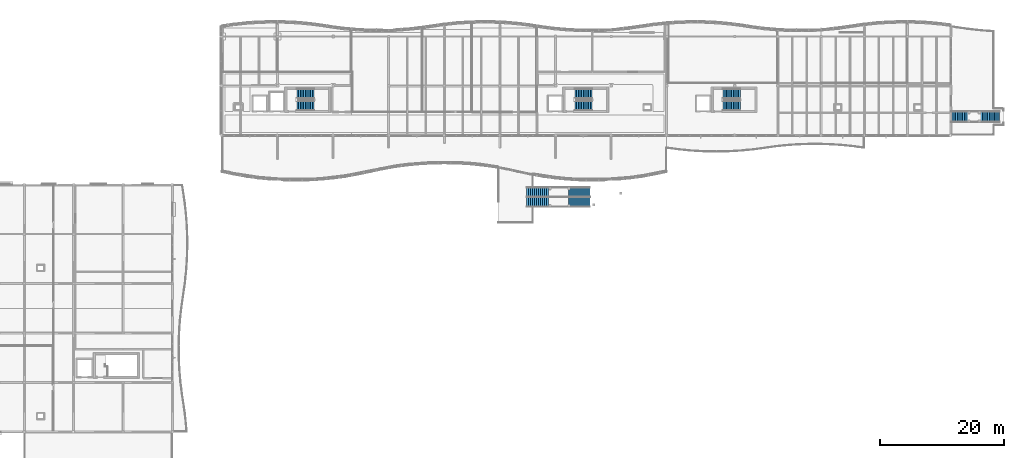
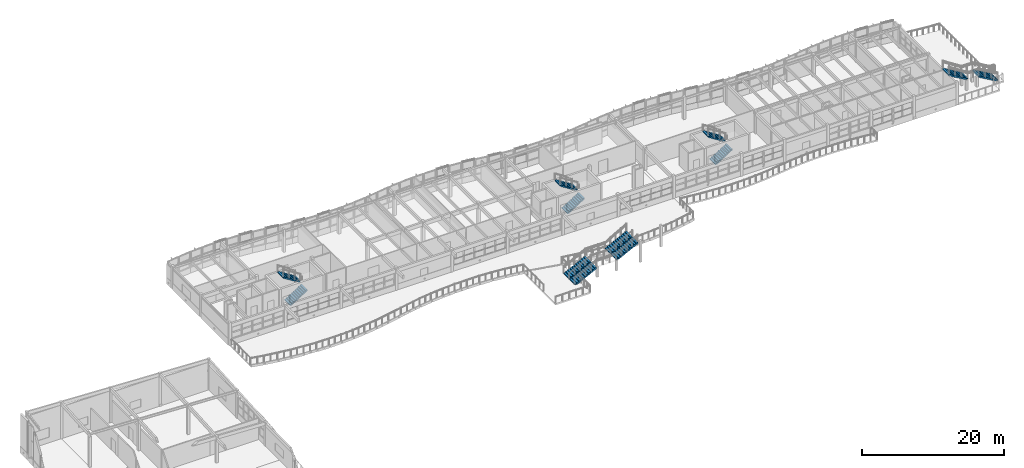
# One storey, part 34 of 52: 12 stair flights, 5 elements without a shape of their own.
"""IFC4 building model written with IfcOpenShell, lengths in metres."""

from ifc_helpers import new_model, si_unit, direction, frame, origin, place, context, subcontext, project, spatial, polyline, outline, extrude, material, type_object, element, aggregate, save


model = new_model("IFC4")

# Units and contexts
model_context = context("Model", 3, precision=1e-05, world=origin(), true_north=direction((0.0, 1.0)))
body_context = subcontext(model_context, "Body", "Model", "MODEL_VIEW")
ifc_project = project(units=[si_unit("LENGTHUNIT", "METRE"), si_unit("AREAUNIT", "SQUARE_METRE"), si_unit("VOLUMEUNIT", "CUBIC_METRE"), si_unit("PLANEANGLEUNIT", "RADIAN"), si_unit("MASSUNIT", "GRAM", prefix="KILO")], contexts=[model_context])

# Site, building, storey
site_placement = place(None, origin())
site = spatial("IfcSite", under=ifc_project, at=site_placement, CompositionType="ELEMENT")
building_placement = place(site_placement, origin())
building = spatial("IfcBuilding", under=site, at=building_placement, Name="Tonlespit Floodbar School", CompositionType="ELEMENT")
storey_placement = place(building_placement, frame((0.0, 0.0, 12.300048828125)))
storey = spatial("IfcBuildingStorey", under=building, at=storey_placement, Name="L03", CompositionType="ELEMENT", Elevation=12.300048828125)

# Stair, stair flights
ifc_material_1 = material(Name="Concrete C40/50", Category="concrete")
stair_type_1 = type_object("IfcStairType", Name="Stair_Core_Upper", PredefinedType="HALF_TURN_STAIR", material=ifc_material_1)
stair_1_placement = place(storey_placement, origin())
stair_1 = element("IfcStair", 1, at=stair_1_placement, inside=storey, type_object=stair_type_1, Name="L03 Core C1 escape stair", PredefinedType="HALF_TURN_STAIR")
stair_flight_type_1 = type_object("IfcStairFlightType", Name="Flight_Core_Upper", PredefinedType="STRAIGHT", material=ifc_material_1)
stair_flight_1_placement = place(storey_placement, frame((56.1201171875, 108.81005859375, 0.0), z_axis=(0.0, 0.0, 1.0), x_axis=(1.0, 0.0, 0.0)))
stair_flight_1 = element("IfcStairFlight", 2, at=stair_flight_1_placement, type_object=stair_flight_type_1, Name="ST-C1 flight 1", NumberOfRisers=11, NumberOfTreads=10, PredefinedType="STRAIGHT", RiserHeight=0.177272727, TreadLength=0.28, context=body_context, shape_type="SweptSolid", body=[
    extrude(outline(polyline([(0.0, 0.0), (0.0, 0.17724609375), (0.280029296875, 0.17724609375), (0.280029296875, 0.3544921875), (0.56005859375, 0.3544921875), (0.56005859375, 0.53173828125), (0.840087890625, 0.53173828125), (0.840087890625, 0.708984375), (1.1201171875, 0.708984375), (1.1201171875, 0.886474609375), (1.39990234375, 0.886474609375), (1.39990234375, 1.063720703125), (1.679931640625, 1.063720703125), (1.679931640625, 1.240966796875), (1.9599609375, 1.240966796875), (1.9599609375, 1.418212890625), (2.239990234375, 1.418212890625), (2.239990234375, 1.595458984375), (2.52001953125, 1.595458984375), (2.52001953125, 1.772705078125), (2.800048828125, 1.772705078125), (2.800048828125, 1.949951171875), (2.800048828125, 1.59521484375), (0.2802734375, 0.0), (0.0, 0.0)])), frame((0.0, 0.81005859375, 0.0), z_axis=(0.0, -1.0, 0.0), x_axis=(1.0, 0.0, 0.0)), (0.0, 0.0, 1.0), 1.6201171875),
])
stair_flight_2_placement = place(storey_placement, frame((58.919921875, 110.72998046875, 1.949951171875), z_axis=(0.0, 0.0, 1.0), x_axis=(-1.0, 0.0, 0.0)))
stair_flight_2 = element("IfcStairFlight", 3, at=stair_flight_2_placement, type_object=stair_flight_type_1, Name="ST-C1 flight 2", NumberOfRisers=11, NumberOfTreads=10, PredefinedType="STRAIGHT", RiserHeight=0.177272727, TreadLength=0.28, context=body_context, shape_type="SweptSolid", body=[
    extrude(outline(polyline([(0.0, 0.0), (0.0, 0.17724609375), (0.280029296875, 0.17724609375), (0.280029296875, 0.3544921875), (0.56005859375, 0.3544921875), (0.56005859375, 0.53173828125), (0.840087890625, 0.53173828125), (0.840087890625, 0.708984375), (1.1201171875, 0.708984375), (1.1201171875, 0.886474609375), (1.39990234375, 0.886474609375), (1.39990234375, 1.063720703125), (1.679931640625, 1.063720703125), (1.679931640625, 1.240966796875), (1.9599609375, 1.240966796875), (1.9599609375, 1.418212890625), (2.239990234375, 1.418212890625), (2.239990234375, 1.595458984375), (2.52001953125, 1.595458984375), (2.52001953125, 1.772705078125), (2.800048828125, 1.772705078125), (2.800048828125, 1.949951171875), (2.800048828125, 1.59521484375), (0.2802734375, 0.0), (0.0, 0.0)])), frame((0.0, 0.81005859375, 0.0), z_axis=(0.0, -1.0, 0.0), x_axis=(1.0, 0.0, 0.0)), (0.0, 0.0, 1.0), 1.6201171875),
])
aggregate(stair_1, [stair_flight_1, stair_flight_2])

stair_2_placement = place(storey_placement, origin())
stair_2 = element("IfcStair", 4, at=stair_2_placement, inside=storey, type_object=stair_type_1, Name="L03 Core C2 escape stair", PredefinedType="HALF_TURN_STAIR")
stair_flight_3_placement = place(storey_placement, frame((101.1201171875, 108.81005859375, 0.0), z_axis=(0.0, 0.0, 1.0), x_axis=(1.0, 0.0, 0.0)))
stair_flight_3 = element("IfcStairFlight", 5, at=stair_flight_3_placement, type_object=stair_flight_type_1, Name="ST-C2 flight 1", NumberOfRisers=11, NumberOfTreads=10, PredefinedType="STRAIGHT", RiserHeight=0.177272727, TreadLength=0.28, context=body_context, shape_type="SweptSolid", body=[
    extrude(outline(polyline([(0.0, 0.0), (0.0, 0.17724609375), (0.280029296875, 0.17724609375), (0.280029296875, 0.3544921875), (0.56005859375, 0.3544921875), (0.56005859375, 0.53173828125), (0.840087890625, 0.53173828125), (0.840087890625, 0.708984375), (1.1201171875, 0.708984375), (1.1201171875, 0.886474609375), (1.39990234375, 0.886474609375), (1.39990234375, 1.063720703125), (1.679931640625, 1.063720703125), (1.679931640625, 1.240966796875), (1.9599609375, 1.240966796875), (1.9599609375, 1.418212890625), (2.239990234375, 1.418212890625), (2.239990234375, 1.595458984375), (2.52001953125, 1.595458984375), (2.52001953125, 1.772705078125), (2.800048828125, 1.772705078125), (2.800048828125, 1.949951171875), (2.800048828125, 1.59521484375), (0.2802734375, 0.0), (0.0, 0.0)])), frame((0.0, 0.81005859375, 0.0), z_axis=(0.0, -1.0, 0.0), x_axis=(1.0, 0.0, 0.0)), (0.0, 0.0, 1.0), 1.6201171875),
])
stair_flight_4_placement = place(storey_placement, frame((103.919921875, 110.72998046875, 1.949951171875), z_axis=(0.0, 0.0, 1.0), x_axis=(-1.0, 0.0, 0.0)))
stair_flight_4 = element("IfcStairFlight", 6, at=stair_flight_4_placement, type_object=stair_flight_type_1, Name="ST-C2 flight 2", NumberOfRisers=11, NumberOfTreads=10, PredefinedType="STRAIGHT", RiserHeight=0.177272727, TreadLength=0.28, context=body_context, shape_type="SweptSolid", body=[
    extrude(outline(polyline([(0.0, 0.0), (0.0, 0.17724609375), (0.280029296875, 0.17724609375), (0.280029296875, 0.3544921875), (0.56005859375, 0.3544921875), (0.56005859375, 0.53173828125), (0.840087890625, 0.53173828125), (0.840087890625, 0.708984375), (1.1201171875, 0.708984375), (1.1201171875, 0.886474609375), (1.39990234375, 0.886474609375), (1.39990234375, 1.063720703125), (1.679931640625, 1.063720703125), (1.679931640625, 1.240966796875), (1.9599609375, 1.240966796875), (1.9599609375, 1.418212890625), (2.239990234375, 1.418212890625), (2.239990234375, 1.595458984375), (2.52001953125, 1.595458984375), (2.52001953125, 1.772705078125), (2.800048828125, 1.772705078125), (2.800048828125, 1.949951171875), (2.800048828125, 1.59521484375), (0.2802734375, 0.0), (0.0, 0.0)])), frame((0.0, 0.81005859375, 0.0), z_axis=(0.0, -1.0, 0.0), x_axis=(1.0, 0.0, 0.0)), (0.0, 0.0, 1.0), 1.6201171875),
])
aggregate(stair_2, [stair_flight_3, stair_flight_4])

stair_3_placement = place(storey_placement, origin())
stair_3 = element("IfcStair", 7, at=stair_3_placement, inside=storey, type_object=stair_type_1, Name="L03 Core C4 escape stair", PredefinedType="HALF_TURN_STAIR")
stair_flight_5_placement = place(storey_placement, frame((125.1201171875, 108.81005859375, 0.0), z_axis=(0.0, 0.0, 1.0), x_axis=(1.0, 0.0, 0.0)))
stair_flight_5 = element("IfcStairFlight", 8, at=stair_flight_5_placement, type_object=stair_flight_type_1, Name="ST-C4 flight 1", NumberOfRisers=11, NumberOfTreads=10, PredefinedType="STRAIGHT", RiserHeight=0.177272727, TreadLength=0.28, context=body_context, shape_type="SweptSolid", body=[
    extrude(outline(polyline([(0.0, 0.0), (0.0, 0.17724609375), (0.280029296875, 0.17724609375), (0.280029296875, 0.3544921875), (0.56005859375, 0.3544921875), (0.56005859375, 0.53173828125), (0.840087890625, 0.53173828125), (0.840087890625, 0.708984375), (1.1201171875, 0.708984375), (1.1201171875, 0.886474609375), (1.39990234375, 0.886474609375), (1.39990234375, 1.063720703125), (1.679931640625, 1.063720703125), (1.679931640625, 1.240966796875), (1.9599609375, 1.240966796875), (1.9599609375, 1.418212890625), (2.239990234375, 1.418212890625), (2.239990234375, 1.595458984375), (2.52001953125, 1.595458984375), (2.52001953125, 1.772705078125), (2.800048828125, 1.772705078125), (2.800048828125, 1.949951171875), (2.800048828125, 1.59521484375), (0.2802734375, 0.0), (0.0, 0.0)])), frame((0.0, 0.81005859375, 0.0), z_axis=(0.0, -1.0, 0.0), x_axis=(1.0, 0.0, 0.0)), (0.0, 0.0, 1.0), 1.6201171875),
])
stair_flight_6_placement = place(storey_placement, frame((127.919921875, 110.72998046875, 1.949951171875), z_axis=(0.0, 0.0, 1.0), x_axis=(-1.0, 0.0, 0.0)))
stair_flight_6 = element("IfcStairFlight", 9, at=stair_flight_6_placement, type_object=stair_flight_type_1, Name="ST-C4 flight 2", NumberOfRisers=11, NumberOfTreads=10, PredefinedType="STRAIGHT", RiserHeight=0.177272727, TreadLength=0.28, context=body_context, shape_type="SweptSolid", body=[
    extrude(outline(polyline([(0.0, 0.0), (0.0, 0.17724609375), (0.280029296875, 0.17724609375), (0.280029296875, 0.3544921875), (0.56005859375, 0.3544921875), (0.56005859375, 0.53173828125), (0.840087890625, 0.53173828125), (0.840087890625, 0.708984375), (1.1201171875, 0.708984375), (1.1201171875, 0.886474609375), (1.39990234375, 0.886474609375), (1.39990234375, 1.063720703125), (1.679931640625, 1.063720703125), (1.679931640625, 1.240966796875), (1.9599609375, 1.240966796875), (1.9599609375, 1.418212890625), (2.239990234375, 1.418212890625), (2.239990234375, 1.595458984375), (2.52001953125, 1.595458984375), (2.52001953125, 1.772705078125), (2.800048828125, 1.772705078125), (2.800048828125, 1.949951171875), (2.800048828125, 1.59521484375), (0.2802734375, 0.0), (0.0, 0.0)])), frame((0.0, 0.81005859375, 0.0), z_axis=(0.0, -1.0, 0.0), x_axis=(1.0, 0.0, 0.0)), (0.0, 0.0, 1.0), 1.6201171875),
])
aggregate(stair_3, [stair_flight_5, stair_flight_6])

ifc_material_2 = material(Name="White Architectural Precast concrete C40/50", Category="concrete")
stair_type_2 = type_object("IfcStairType", Name="Stair_Court_3200_Upp", PredefinedType="STRAIGHT_RUN_STAIR", material=ifc_material_2)
stair_4_placement = place(storey_placement, origin())
stair_4 = element("IfcStair", 10, at=stair_4_placement, inside=storey, type_object=stair_type_2, Name="L03 stair ST-CT4", PredefinedType="STRAIGHT_RUN_STAIR")
stair_flight_type_2 = type_object("IfcStairFlightType", Name="Flight_Court_1540", PredefinedType="STRAIGHT", material=ifc_material_2)
stair_flight_7_placement = place(storey_placement, frame((93.340087890625, 93.169921875, 0.0), z_axis=(0.0, 0.0, 1.0), x_axis=(1.0, 0.0, 0.0)))
stair_flight_7 = element("IfcStairFlight", 11, at=stair_flight_7_placement, type_object=stair_flight_type_2, Name="ST-CT4 flight 1", NumberOfRisers=12, NumberOfTreads=11, PredefinedType="STRAIGHT", RiserHeight=0.1625, TreadLength=0.32, context=body_context, shape_type="SweptSolid", body=[
    extrude(outline(polyline([(0.0, 0.0), (0.0, 0.16259765625), (0.320068359375, 0.16259765625), (0.320068359375, 0.324951171875), (0.639892578125, 0.324951171875), (0.639892578125, 0.487548828125), (0.9599609375, 0.487548828125), (0.9599609375, 0.64990234375), (1.280029296875, 0.64990234375), (1.280029296875, 0.8125), (1.60009765625, 0.8125), (1.60009765625, 0.97509765625), (1.919921875, 0.97509765625), (1.919921875, 1.137451171875), (2.239990234375, 1.137451171875), (2.239990234375, 1.300048828125), (2.56005859375, 1.300048828125), (2.56005859375, 1.46240234375), (2.8798828125, 1.46240234375), (2.8798828125, 1.625), (3.199951171875, 1.625), (3.199951171875, 1.78759765625), (3.52001953125, 1.78759765625), (3.52001953125, 1.949951171875), (3.52001953125, 1.563232421875), (0.441650390625, 0.0), (0.0, 0.0)])), frame((0.0, 0.77001953125, 0.0), z_axis=(0.0, -1.0, 0.0), x_axis=(1.0, 0.0, 0.0)), (0.0, 0.0, 1.0), 1.5400390625),
])
stair_flight_8_placement = place(storey_placement, frame((100.06005859375, 93.169921875, 1.949951171875), z_axis=(0.0, 0.0, 1.0), x_axis=(1.0, 0.0, 0.0)))
stair_flight_8 = element("IfcStairFlight", 12, at=stair_flight_8_placement, type_object=stair_flight_type_2, Name="ST-CT4 flight 2", NumberOfRisers=12, NumberOfTreads=11, PredefinedType="STRAIGHT", RiserHeight=0.1625, TreadLength=0.32, context=body_context, shape_type="SweptSolid", body=[
    extrude(outline(polyline([(0.0, 0.0), (0.0, 0.16259765625), (0.320068359375, 0.16259765625), (0.320068359375, 0.324951171875), (0.639892578125, 0.324951171875), (0.639892578125, 0.487548828125), (0.9599609375, 0.487548828125), (0.9599609375, 0.64990234375), (1.280029296875, 0.64990234375), (1.280029296875, 0.8125), (1.60009765625, 0.8125), (1.60009765625, 0.97509765625), (1.919921875, 0.97509765625), (1.919921875, 1.137451171875), (2.239990234375, 1.137451171875), (2.239990234375, 1.300048828125), (2.56005859375, 1.300048828125), (2.56005859375, 1.46240234375), (2.8798828125, 1.46240234375), (2.8798828125, 1.625), (3.199951171875, 1.625), (3.199951171875, 1.78759765625), (3.52001953125, 1.78759765625), (3.52001953125, 1.949951171875), (3.52001953125, 1.563232421875), (0.441650390625, 0.0), (0.0, 0.0)])), frame((0.0, 0.77001953125, 0.0), z_axis=(0.0, -1.0, 0.0), x_axis=(1.0, 0.0, 0.0)), (0.0, 0.0, 1.0), 1.5400390625),
])
stair_flight_9_placement = place(storey_placement, frame((93.340087890625, 94.830078125, 0.0), z_axis=(0.0, 0.0, 1.0), x_axis=(1.0, 0.0, 0.0)))
stair_flight_9 = element("IfcStairFlight", 13, at=stair_flight_9_placement, type_object=stair_flight_type_2, Name="ST-CT4 flight 3", NumberOfRisers=12, NumberOfTreads=11, PredefinedType="STRAIGHT", RiserHeight=0.1625, TreadLength=0.32, context=body_context, shape_type="SweptSolid", body=[
    extrude(outline(polyline([(0.0, 0.0), (0.0, 0.16259765625), (0.320068359375, 0.16259765625), (0.320068359375, 0.324951171875), (0.639892578125, 0.324951171875), (0.639892578125, 0.487548828125), (0.9599609375, 0.487548828125), (0.9599609375, 0.64990234375), (1.280029296875, 0.64990234375), (1.280029296875, 0.8125), (1.60009765625, 0.8125), (1.60009765625, 0.97509765625), (1.919921875, 0.97509765625), (1.919921875, 1.137451171875), (2.239990234375, 1.137451171875), (2.239990234375, 1.300048828125), (2.56005859375, 1.300048828125), (2.56005859375, 1.46240234375), (2.8798828125, 1.46240234375), (2.8798828125, 1.625), (3.199951171875, 1.625), (3.199951171875, 1.78759765625), (3.52001953125, 1.78759765625), (3.52001953125, 1.949951171875), (3.52001953125, 1.563232421875), (0.441650390625, 0.0), (0.0, 0.0)])), frame((0.0, 0.77001953125, 0.0), z_axis=(0.0, -1.0, 0.0), x_axis=(1.0, 0.0, 0.0)), (0.0, 0.0, 1.0), 1.5400390625),
])
stair_flight_10_placement = place(storey_placement, frame((100.06005859375, 94.830078125, 1.949951171875), z_axis=(0.0, 0.0, 1.0), x_axis=(1.0, 0.0, 0.0)))
stair_flight_10 = element("IfcStairFlight", 14, at=stair_flight_10_placement, type_object=stair_flight_type_2, Name="ST-CT4 flight 4", NumberOfRisers=12, NumberOfTreads=11, PredefinedType="STRAIGHT", RiserHeight=0.1625, TreadLength=0.32, context=body_context, shape_type="SweptSolid", body=[
    extrude(outline(polyline([(0.0, 0.0), (0.0, 0.16259765625), (0.320068359375, 0.16259765625), (0.320068359375, 0.324951171875), (0.639892578125, 0.324951171875), (0.639892578125, 0.487548828125), (0.9599609375, 0.487548828125), (0.9599609375, 0.64990234375), (1.280029296875, 0.64990234375), (1.280029296875, 0.8125), (1.60009765625, 0.8125), (1.60009765625, 0.97509765625), (1.919921875, 0.97509765625), (1.919921875, 1.137451171875), (2.239990234375, 1.137451171875), (2.239990234375, 1.300048828125), (2.56005859375, 1.300048828125), (2.56005859375, 1.46240234375), (2.8798828125, 1.46240234375), (2.8798828125, 1.625), (3.199951171875, 1.625), (3.199951171875, 1.78759765625), (3.52001953125, 1.78759765625), (3.52001953125, 1.949951171875), (3.52001953125, 1.563232421875), (0.441650390625, 0.0), (0.0, 0.0)])), frame((0.0, 0.77001953125, 0.0), z_axis=(0.0, -1.0, 0.0), x_axis=(1.0, 0.0, 0.0)), (0.0, 0.0, 1.0), 1.5400390625),
])
aggregate(stair_4, [stair_flight_7, stair_flight_8, stair_flight_9, stair_flight_10])

ifc_material_3 = material(Name="Glulam GL28h", Category="wood")
stair_type_3 = type_object("IfcStairType", Name="Stair_Feature_1800_Upp", PredefinedType="STRAIGHT_RUN_STAIR", material=ifc_material_3)
stair_5_placement = place(storey_placement, origin())
stair_5 = element("IfcStair", 15, at=stair_5_placement, inside=storey, type_object=stair_type_3, Name="L03 stair ST-L2", PredefinedType="STRAIGHT_RUN_STAIR")
stair_flight_type_3 = type_object("IfcStairFlightType", Name="Flight_Feature_1800", PredefinedType="STRAIGHT", material=ifc_material_3)
stair_flight_11_placement = place(storey_placement, frame((169.89990234375, 107.0, 0.0), z_axis=(0.0, 0.0, 1.0), x_axis=(-1.0, 0.0, 0.0)))
stair_flight_11 = element("IfcStairFlight", 16, at=stair_flight_11_placement, type_object=stair_flight_type_3, Name="ST-L2 flight 1", NumberOfRisers=12, NumberOfTreads=11, PredefinedType="STRAIGHT", RiserHeight=0.1625, TreadLength=0.28, context=body_context, shape_type="SweptSolid", body=[
    extrude(outline(polyline([(0.0, 0.0), (0.0, 0.16259765625), (0.280029296875, 0.16259765625), (0.280029296875, 0.324951171875), (0.56005859375, 0.324951171875), (0.56005859375, 0.487548828125), (0.840087890625, 0.487548828125), (0.840087890625, 0.64990234375), (1.1201171875, 0.64990234375), (1.1201171875, 0.8125), (1.39990234375, 0.8125), (1.39990234375, 0.97509765625), (1.679931640625, 0.97509765625), (1.679931640625, 1.137451171875), (1.9599609375, 1.137451171875), (1.9599609375, 1.300048828125), (2.239990234375, 1.300048828125), (2.239990234375, 1.46240234375), (2.52001953125, 1.46240234375), (2.52001953125, 1.625), (2.800048828125, 1.625), (2.800048828125, 1.78759765625), (3.080078125, 1.78759765625), (3.080078125, 1.949951171875), (3.080078125, 1.579345703125), (0.3583984375, 0.0), (0.0, 0.0)])), frame((0.0, 0.89990234375, 0.0), z_axis=(0.0, -1.0, 0.0), x_axis=(1.0, 0.0, 0.0)), (0.0, 0.0, 1.0), 1.800048828125),
])
stair_flight_12_placement = place(storey_placement, frame((165.02001953125, 107.0, 1.949951171875), z_axis=(0.0, 0.0, 1.0), x_axis=(-1.0, 0.0, 0.0)))
stair_flight_12 = element("IfcStairFlight", 17, at=stair_flight_12_placement, type_object=stair_flight_type_3, Name="ST-L2 flight 2", NumberOfRisers=12, NumberOfTreads=11, PredefinedType="STRAIGHT", RiserHeight=0.1625, TreadLength=0.28, context=body_context, shape_type="SweptSolid", body=[
    extrude(outline(polyline([(0.0, 0.0), (0.0, 0.16259765625), (0.280029296875, 0.16259765625), (0.280029296875, 0.324951171875), (0.56005859375, 0.324951171875), (0.56005859375, 0.487548828125), (0.840087890625, 0.487548828125), (0.840087890625, 0.64990234375), (1.1201171875, 0.64990234375), (1.1201171875, 0.8125), (1.39990234375, 0.8125), (1.39990234375, 0.97509765625), (1.679931640625, 0.97509765625), (1.679931640625, 1.137451171875), (1.9599609375, 1.137451171875), (1.9599609375, 1.300048828125), (2.239990234375, 1.300048828125), (2.239990234375, 1.46240234375), (2.52001953125, 1.46240234375), (2.52001953125, 1.625), (2.800048828125, 1.625), (2.800048828125, 1.78759765625), (3.080078125, 1.78759765625), (3.080078125, 1.949951171875), (3.080078125, 1.579345703125), (0.3583984375, 0.0), (0.0, 0.0)])), frame((0.0, 0.89990234375, 0.0), z_axis=(0.0, -1.0, 0.0), x_axis=(1.0, 0.0, 0.0)), (0.0, 0.0, 1.0), 1.800048828125),
])
aggregate(stair_5, [stair_flight_11, stair_flight_12])

save(model, "model.ifc")
